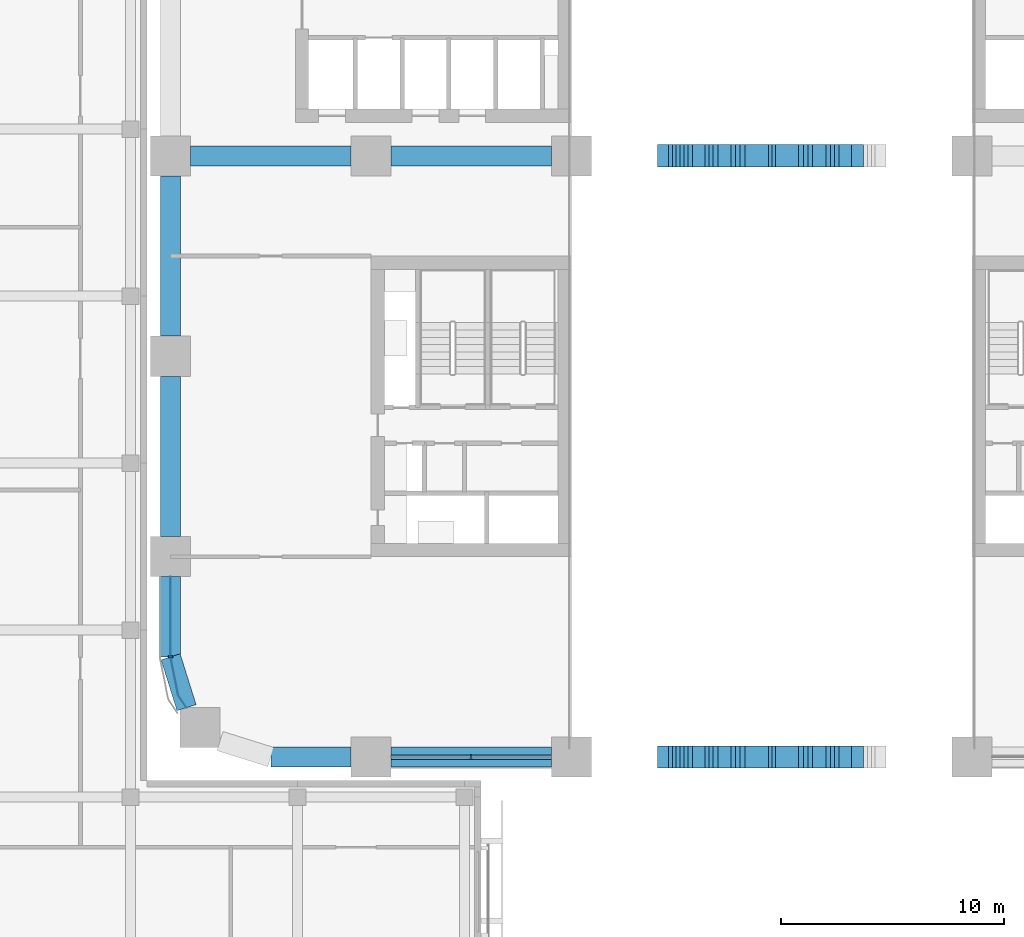
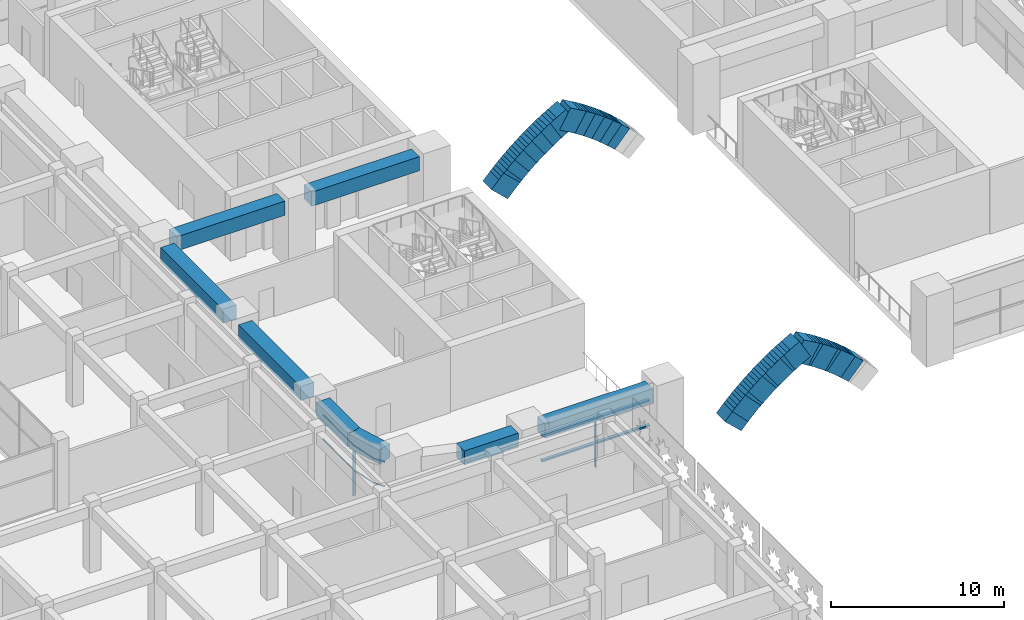
# One storey, part 5 of 40: 34 members, 8 beams, 2 elements without a shape of their own.
"""IFC4 building model written with IfcOpenShell, lengths in metres."""

from ifc_helpers import new_model, si_unit, direction, frame, origin, origin_2d, place, context, subcontext, project, spatial, polyline, rectangle, outline, extrude, material, material_profile, profile_set, type_object, element, aggregate, save


model = new_model("IFC4")

# Units and contexts
model_context = context("Model", 3, precision=1e-05, world=origin(), true_north=direction((0.0, 1.0)))
body_context = subcontext(model_context, "Body", "Model", "MODEL_VIEW")
ifc_project = project(units=[si_unit("LENGTHUNIT", "METRE"), si_unit("AREAUNIT", "SQUARE_METRE"), si_unit("VOLUMEUNIT", "CUBIC_METRE"), si_unit("PLANEANGLEUNIT", "RADIAN"), si_unit("MASSUNIT", "GRAM", prefix="KILO")], contexts=[model_context])

# Site, building, storey
site_placement = place(None, origin())
site = spatial("IfcSite", under=ifc_project, at=site_placement, CompositionType="ELEMENT")
building_placement = place(site_placement, origin())
building = spatial("IfcBuilding", under=site, at=building_placement, Name="Tessera Arch", CompositionType="ELEMENT")
storey_placement = place(building_placement, frame((0.0, 0.0, 21.0)))
storey = spatial("IfcBuildingStorey", under=building, at=storey_placement, Name="L03", CompositionType="ELEMENT", Elevation=21.0)

# Members
ifc_material_1 = material(Name="Concrete C80/95", Category="concrete")
ifc_material_profile_1 = material_profile(ifc_material_1, rectangle(XDim=1.0, YDim=1.5, at=origin_2d()), Name="RC 1000x1500")
ifc_profile_set_1 = profile_set([ifc_material_profile_1], Name="Concrete C80/95")
member_type_1 = type_object("IfcMemberType", Name="Arch rib RC 1000x1500", PredefinedType="MEMBER", material=ifc_profile_set_1)
for number, where, z_axis, x_axis, name in (
    (1, (22.409423828125, 0.0, 0.057861328125), (0.686468964072, 0.0, 0.727159103199), (0.0, 1.0, 0.0), "Arch rib A segment 9"),
    (2, (22.886474609375, 0.0, 0.57861328125), (0.716556380698, 0.0, 0.697529177369), (0.0, 1.0, 0.0), "Arch rib A segment 10"),
    (3, (23.38525390625, 0.0, 1.078857421875), (0.745283662993, 0.0, 0.666747524687), (0.0, 1.0, 0.0), "Arch rib A segment 11"),
):
    element("IfcMember", number, at=place(storey_placement, frame(where, z_axis=z_axis, x_axis=x_axis)), inside=storey, type_object=member_type_1, Name=name, PredefinedType="MEMBER", context=body_context, shape_type="SweptSolid", body=[
        extrude(rectangle(XDim=1.0, YDim=1.5, at=origin_2d()), origin(), (0.0, 0.0, 1.0), 1.2060546875),
    ])
member_1_placement = place(storey_placement, frame((23.90478515625, 0.0, 1.557861328125), z_axis=(0.77276526354, 0.0, 0.634691931149), x_axis=(0.0, 1.0, 0.0)))
element("IfcMember", 4, at=member_1_placement, inside=storey, type_object=member_type_1, Name="Arch rib A segment 12", PredefinedType="MEMBER", context=body_context, shape_type="SweptSolid", body=[
    extrude(rectangle(XDim=1.0, YDim=1.5, at=origin_2d()), origin(), (0.0, 0.0, 1.0), 1.205810546875),
])
for number, where, z_axis, x_axis, name in (
    (5, (24.44384765625, 0.0, 2.01416015625), (0.798783788492, 0.0, 0.601618200557), (0.0, 1.0, 0.0), "Arch rib A segment 13"),
    (6, (25.001708984375, 0.0, 2.447509765625), (0.823450856491, 0.0, 0.567387598511), (0.0, 1.0, 0.0), "Arch rib A segment 14"),
):
    element("IfcMember", number, at=place(storey_placement, frame(where, z_axis=z_axis, x_axis=x_axis)), inside=storey, type_object=member_type_1, Name=name, PredefinedType="MEMBER", context=body_context, shape_type="SweptSolid", body=[
        extrude(rectangle(XDim=1.0, YDim=1.5, at=origin_2d()), origin(), (0.0, 0.0, 1.0), 1.2060546875),
    ])
member_2_placement = place(storey_placement, frame((25.577392578125, 0.0, 2.85693359375), z_axis=(0.846665209367, 0.0, 0.532125946791), x_axis=(0.0, 1.0, 0.0)))
element("IfcMember", 7, at=member_2_placement, inside=storey, type_object=member_type_1, Name="Arch rib A segment 15", PredefinedType="MEMBER", context=body_context, shape_type="SweptSolid", body=[
    extrude(rectangle(XDim=1.0, YDim=1.5, at=origin_2d()), origin(), (0.0, 0.0, 1.0), 1.206298828125),
])
for number, where, z_axis, x_axis, name in (
    (8, (26.169921875, 0.0, 3.24169921875), (0.868230684499, 0.0, 0.496160738566), (0.0, 1.0, 0.0), "Arch rib A segment 16"),
    (9, (30.61474609375, 0.0, 1.078857421875), (-0.745283662993, 0.0, 0.666747524687), (0.0, -1.0, 0.0), "Arch rib A segment 27"),
):
    element("IfcMember", number, at=place(storey_placement, frame(where, z_axis=z_axis, x_axis=x_axis)), inside=storey, type_object=member_type_1, Name=name, PredefinedType="MEMBER", context=body_context, shape_type="SweptSolid", body=[
        extrude(rectangle(XDim=1.0, YDim=1.5, at=origin_2d()), origin(), (0.0, 0.0, 1.0), 1.2060546875),
    ])
member_3_placement = place(storey_placement, frame((30.09521484375, 0.0, 1.557861328125), z_axis=(-0.77276526354, 0.0, 0.634691931149), x_axis=(0.0, -1.0, 0.0)))
element("IfcMember", 10, at=member_3_placement, inside=storey, type_object=member_type_1, Name="Arch rib A segment 28", PredefinedType="MEMBER", context=body_context, shape_type="SweptSolid", body=[
    extrude(rectangle(XDim=1.0, YDim=1.5, at=origin_2d()), origin(), (0.0, 0.0, 1.0), 1.205810546875),
])
for number, where, z_axis, x_axis, name in (
    (11, (29.55615234375, 0.0, 2.01416015625), (-0.798783788492, 0.0, 0.601618200557), (0.0, -1.0, 0.0), "Arch rib A segment 29"),
    (12, (28.998291015625, 0.0, 2.447509765625), (-0.823450856491, 0.0, 0.567387598511), (0.0, -1.0, 0.0), "Arch rib A segment 30"),
):
    element("IfcMember", number, at=place(storey_placement, frame(where, z_axis=z_axis, x_axis=x_axis)), inside=storey, type_object=member_type_1, Name=name, PredefinedType="MEMBER", context=body_context, shape_type="SweptSolid", body=[
        extrude(rectangle(XDim=1.0, YDim=1.5, at=origin_2d()), origin(), (0.0, 0.0, 1.0), 1.2060546875),
    ])
member_4_placement = place(storey_placement, frame((28.422607421875, 0.0, 2.85693359375), z_axis=(-0.846665209367, 0.0, 0.532125946791), x_axis=(0.0, -1.0, 0.0)))
element("IfcMember", 13, at=member_4_placement, inside=storey, type_object=member_type_1, Name="Arch rib A segment 31", PredefinedType="MEMBER", context=body_context, shape_type="SweptSolid", body=[
    extrude(rectangle(XDim=1.0, YDim=1.5, at=origin_2d()), origin(), (0.0, 0.0, 1.0), 1.206298828125),
])
for number, where, z_axis, x_axis, name in (
    (14, (27.830078125, 0.0, 3.24169921875), (-0.868230684499, 0.0, 0.496160738566), (0.0, -1.0, 0.0), "Arch rib A segment 32"),
    (15, (22.409423828125, 27.0, 0.057861328125), (0.686468964072, 0.0, 0.727159103199), (0.0, 1.0, 0.0), "Arch rib B segment 9"),
    (16, (22.886474609375, 27.0, 0.57861328125), (0.716556380698, 0.0, 0.697529177369), (0.0, 1.0, 0.0), "Arch rib B segment 10"),
    (17, (23.38525390625, 27.0, 1.078857421875), (0.745283662993, 0.0, 0.666747524687), (0.0, 1.0, 0.0), "Arch rib B segment 11"),
):
    element("IfcMember", number, at=place(storey_placement, frame(where, z_axis=z_axis, x_axis=x_axis)), inside=storey, type_object=member_type_1, Name=name, PredefinedType="MEMBER", context=body_context, shape_type="SweptSolid", body=[
        extrude(rectangle(XDim=1.0, YDim=1.5, at=origin_2d()), origin(), (0.0, 0.0, 1.0), 1.2060546875),
    ])
member_5_placement = place(storey_placement, frame((23.90478515625, 27.0, 1.557861328125), z_axis=(0.77276526354, 0.0, 0.634691931149), x_axis=(0.0, 1.0, 0.0)))
element("IfcMember", 18, at=member_5_placement, inside=storey, type_object=member_type_1, Name="Arch rib B segment 12", PredefinedType="MEMBER", context=body_context, shape_type="SweptSolid", body=[
    extrude(rectangle(XDim=1.0, YDim=1.5, at=origin_2d()), origin(), (0.0, 0.0, 1.0), 1.205810546875),
])
for number, where, z_axis, x_axis, name in (
    (19, (24.44384765625, 27.0, 2.01416015625), (0.798783788492, 0.0, 0.601618200557), (0.0, 1.0, 0.0), "Arch rib B segment 13"),
    (20, (25.001708984375, 27.0, 2.447509765625), (0.823450856491, 0.0, 0.567387598511), (0.0, 1.0, 0.0), "Arch rib B segment 14"),
):
    element("IfcMember", number, at=place(storey_placement, frame(where, z_axis=z_axis, x_axis=x_axis)), inside=storey, type_object=member_type_1, Name=name, PredefinedType="MEMBER", context=body_context, shape_type="SweptSolid", body=[
        extrude(rectangle(XDim=1.0, YDim=1.5, at=origin_2d()), origin(), (0.0, 0.0, 1.0), 1.2060546875),
    ])
member_6_placement = place(storey_placement, frame((25.577392578125, 27.0, 2.85693359375), z_axis=(0.846665209367, 0.0, 0.532125946791), x_axis=(0.0, 1.0, 0.0)))
element("IfcMember", 21, at=member_6_placement, inside=storey, type_object=member_type_1, Name="Arch rib B segment 15", PredefinedType="MEMBER", context=body_context, shape_type="SweptSolid", body=[
    extrude(rectangle(XDim=1.0, YDim=1.5, at=origin_2d()), origin(), (0.0, 0.0, 1.0), 1.206298828125),
])
for number, where, z_axis, x_axis, name in (
    (22, (26.169921875, 27.0, 3.24169921875), (0.868230684499, 0.0, 0.496160738566), (0.0, 1.0, 0.0), "Arch rib B segment 16"),
    (23, (30.61474609375, 27.0, 1.078857421875), (-0.745283662993, 0.0, 0.666747524687), (0.0, -1.0, 0.0), "Arch rib B segment 27"),
):
    element("IfcMember", number, at=place(storey_placement, frame(where, z_axis=z_axis, x_axis=x_axis)), inside=storey, type_object=member_type_1, Name=name, PredefinedType="MEMBER", context=body_context, shape_type="SweptSolid", body=[
        extrude(rectangle(XDim=1.0, YDim=1.5, at=origin_2d()), origin(), (0.0, 0.0, 1.0), 1.2060546875),
    ])
member_7_placement = place(storey_placement, frame((30.09521484375, 27.0, 1.557861328125), z_axis=(-0.77276526354, 0.0, 0.634691931149), x_axis=(0.0, -1.0, 0.0)))
element("IfcMember", 24, at=member_7_placement, inside=storey, type_object=member_type_1, Name="Arch rib B segment 28", PredefinedType="MEMBER", context=body_context, shape_type="SweptSolid", body=[
    extrude(rectangle(XDim=1.0, YDim=1.5, at=origin_2d()), origin(), (0.0, 0.0, 1.0), 1.205810546875),
])
for number, where, z_axis, x_axis, name in (
    (25, (29.55615234375, 27.0, 2.01416015625), (-0.798783788492, 0.0, 0.601618200557), (0.0, -1.0, 0.0), "Arch rib B segment 29"),
    (26, (28.998291015625, 27.0, 2.447509765625), (-0.823450856491, 0.0, 0.567387598511), (0.0, -1.0, 0.0), "Arch rib B segment 30"),
):
    element("IfcMember", number, at=place(storey_placement, frame(where, z_axis=z_axis, x_axis=x_axis)), inside=storey, type_object=member_type_1, Name=name, PredefinedType="MEMBER", context=body_context, shape_type="SweptSolid", body=[
        extrude(rectangle(XDim=1.0, YDim=1.5, at=origin_2d()), origin(), (0.0, 0.0, 1.0), 1.2060546875),
    ])
member_8_placement = place(storey_placement, frame((28.422607421875, 27.0, 2.85693359375), z_axis=(-0.846665209367, 0.0, 0.532125946791), x_axis=(0.0, -1.0, 0.0)))
element("IfcMember", 27, at=member_8_placement, inside=storey, type_object=member_type_1, Name="Arch rib B segment 31", PredefinedType="MEMBER", context=body_context, shape_type="SweptSolid", body=[
    extrude(rectangle(XDim=1.0, YDim=1.5, at=origin_2d()), origin(), (0.0, 0.0, 1.0), 1.206298828125),
])
member_9_placement = place(storey_placement, frame((27.830078125, 27.0, 3.24169921875), z_axis=(-0.868230684499, 0.0, 0.496160738566), x_axis=(0.0, -1.0, 0.0)))
element("IfcMember", 28, at=member_9_placement, inside=storey, type_object=member_type_1, Name="Arch rib B segment 32", PredefinedType="MEMBER", context=body_context, shape_type="SweptSolid", body=[
    extrude(rectangle(XDim=1.0, YDim=1.5, at=origin_2d()), origin(), (0.0, 0.0, 1.0), 1.2060546875),
])

# Curtain wall, members
ifc_material_2 = material(Name="CW2 curtain wall")
curtain_wall_type_1 = type_object("IfcCurtainWallType", Name="CW2 curtain wall", PredefinedType="NOTDEFINED", material=ifc_material_2)
curtain_wall_1_placement = place(storey_placement, origin())
curtain_wall_1 = element("IfcCurtainWall", 29, at=curtain_wall_1_placement, inside=storey, type_object=curtain_wall_type_1, Name="CW2 curtain wall W0.0/5 L03", PredefinedType="NOTDEFINED")
ifc_material_3 = material(Name="Anodised aluminium pale metal", Category="aluminium")
ifc_material_profile_2 = material_profile(ifc_material_3, rectangle(XDim=0.199951171875, YDim=0.080078125, at=origin_2d()), Name="AL 80x200")
ifc_profile_set_2 = profile_set([ifc_material_profile_2], Name="Anodised aluminium pale metal")
member_type_2 = type_object("IfcMemberType", Name="CW2 mullion", PredefinedType="MULLION", material=ifc_profile_set_2)
member_10_placement = place(storey_placement, frame((0.0, 4.5, 0.0), z_axis=(0.0, 0.0, 1.0), x_axis=(1.0, 0.0, 0.0)))
member_10 = element("IfcMember", 30, at=member_10_placement, type_object=member_type_2, Name="CW2 mullion W0.0/5 1", PredefinedType="MULLION", context=body_context, shape_type="SweptSolid", body=[
    extrude(rectangle(XDim=0.199951171875, YDim=0.080078125, at=origin_2d()), origin(), (0.0, 0.0, 1.0), 3.449951171875),
])
ifc_material_4 = material(Name="Anodised aluminium pale metal", Category="aluminium")
ifc_material_profile_3 = material_profile(ifc_material_4, rectangle(XDim=0.199951171875, YDim=0.10009765625, at=origin_2d()), Name="AL 200x100")
ifc_profile_set_3 = profile_set([ifc_material_profile_3], Name="Anodised aluminium pale metal")
member_type_3 = type_object("IfcMemberType", Name="CW2 transom", PredefinedType="USERDEFINED", material=ifc_profile_set_3)
member_11_placement = place(storey_placement, frame((0.0, 0.0, 1.72509765625)))
member_11 = element("IfcMember", 31, at=member_11_placement, type_object=member_type_3, Name="CW2 transom W0.0/5 1", ObjectType="TRANSOM", PredefinedType="USERDEFINED", context=body_context, shape_type="SweptSolid", body=[
    extrude(outline(polyline([(0.010009765625, 4.5009765625), (0.010009765625, 8.10009765625), (-0.010009765625, 8.10009765625), (-0.010009765625, 4.4990234375), (0.3330078125, 2.77392578125), (0.70849609375, 2.21240234375), (0.72509765625, 2.2236328125), (0.351806640625, 2.78173828125), (0.010009765625, 4.5009765625)])), origin(), (0.0, 0.0, 1.0), 0.099853515625),
])
member_12_placement = place(storey_placement, frame((0.0, 0.0, 3.449951171875)))
member_12 = element("IfcMember", 32, at=member_12_placement, type_object=member_type_3, Name="CW2 transom W0.0/5 2", ObjectType="TRANSOM", PredefinedType="USERDEFINED", context=body_context, shape_type="SweptSolid", body=[
    extrude(outline(polyline([(0.010009765625, 4.5009765625), (0.010009765625, 8.10009765625), (-0.010009765625, 8.10009765625), (-0.010009765625, 4.4990234375), (0.3330078125, 2.77392578125), (0.70849609375, 2.21240234375), (0.72509765625, 2.2236328125), (0.351806640625, 2.78173828125), (0.010009765625, 4.5009765625)])), origin(), (0.0, 0.0, 1.0), 0.10009765625),
])
aggregate(curtain_wall_1, [member_10, member_11, member_12])

ifc_material_5 = material(Name="CW6 curtain wall")
curtain_wall_type_2 = type_object("IfcCurtainWallType", Name="CW6 curtain wall", PredefinedType="NOTDEFINED", material=ifc_material_5)
curtain_wall_2_placement = place(storey_placement, origin())
curtain_wall_2 = element("IfcCurtainWall", 33, at=curtain_wall_2_placement, inside=storey, type_object=curtain_wall_type_2, Name="CW6 curtain wall S0.0/1 L03", PredefinedType="NOTDEFINED")
ifc_material_6 = material(Name="Anodised aluminium pale metal", Category="aluminium")
ifc_material_profile_4 = material_profile(ifc_material_6, rectangle(XDim=0.199951171875, YDim=0.070068359375, at=origin_2d()), Name="AL 70x200")
ifc_profile_set_4 = profile_set([ifc_material_profile_4], Name="Anodised aluminium pale metal")
member_type_4 = type_object("IfcMemberType", Name="CW6 mullion", PredefinedType="MULLION", material=ifc_profile_set_4)
member_13_placement = place(storey_placement, frame((13.5, 0.0, 0.0), z_axis=(0.0, 0.0, 1.0), x_axis=(0.0, 1.0, 0.0)))
member_13 = element("IfcMember", 34, at=member_13_placement, type_object=member_type_4, Name="CW6 mullion S0.0/1 1", PredefinedType="MULLION", context=body_context, shape_type="SweptSolid", body=[
    extrude(rectangle(XDim=0.199951171875, YDim=0.070068359375, at=origin_2d()), origin(), (0.0, 0.0, 1.0), 3.429931640625),
])
ifc_material_7 = material(Name="Anodised aluminium pale metal", Category="aluminium")
ifc_material_profile_5 = material_profile(ifc_material_7, rectangle(XDim=0.199951171875, YDim=0.1201171875, at=origin_2d()), Name="AL 200x120")
ifc_profile_set_5 = profile_set([ifc_material_profile_5], Name="Anodised aluminium pale metal")
member_type_5 = type_object("IfcMemberType", Name="CW6 transom", PredefinedType="USERDEFINED", material=ifc_profile_set_5)
member_14_placement = place(storey_placement, frame((9.89990234375, 0.0, 3.489990234375), z_axis=(1.0, 0.0, 0.0), x_axis=(0.0, 1.0, 0.0)))
member_14 = element("IfcMember", 35, at=member_14_placement, type_object=member_type_5, Name="CW6 transom S0.0/1 1.1", ObjectType="TRANSOM", PredefinedType="USERDEFINED", context=body_context, shape_type="SweptSolid", body=[
    extrude(rectangle(XDim=0.199951171875, YDim=0.1201171875, at=origin_2d()), origin(), (0.0, 0.0, 1.0), 7.2001953125),
])
member_15_placement = place(storey_placement, frame((9.89990234375, 0.0, 1.715087890625), z_axis=(1.0, 0.0, 0.0), x_axis=(0.0, 1.0, 0.0)))
member_15 = element("IfcMember", 36, at=member_15_placement, type_object=member_type_5, Name="CW6 transom S0.0/1 2.1", ObjectType="TRANSOM", PredefinedType="USERDEFINED", context=body_context, shape_type="SweptSolid", body=[
    extrude(rectangle(XDim=0.199951171875, YDim=0.1201171875, at=origin_2d()), origin(), (0.0, 0.0, 1.0), 7.2001953125),
])
aggregate(curtain_wall_2, [member_13, member_14, member_15])

# Beams
ifc_material_8 = material(Name="Concrete C80/95", Category="concrete")
ifc_material_profile_6 = material_profile(ifc_material_8, rectangle(XDim=0.89990234375, YDim=1.0, at=origin_2d()), Name="RC spandrel beam 900 x 1000 Concrete C80/95")
ifc_profile_set_6 = profile_set([ifc_material_profile_6], Name="Concrete C80/95")
beam_type = type_object("IfcBeamType", Name="RC spandrel beam 900 x 1000 Concrete C80/95", PredefinedType="BEAM", material=ifc_profile_set_6)
for number, where, z_axis, x_axis, name in (
    (37, (0.0, 26.10009765625, 4.050048828125), (0.0, -1.0, 0.0), (1.0, 0.0, 0.0), "Spandrel beam L03 W0.0/3"),
    (38, (0.0, 17.10009765625, 4.050048828125), (0.0, -1.0, 0.0), (1.0, 0.0, 0.0), "Spandrel beam L03 W0.0/4"),
):
    element("IfcBeam", number, at=place(storey_placement, frame(where, z_axis=z_axis, x_axis=x_axis)), inside=storey, type_object=beam_type, Name=name, PredefinedType="BEAM", context=body_context, shape_type="SweptSolid", body=[
        extrude(rectangle(XDim=0.89990234375, YDim=1.0, at=origin_2d()), origin(), (0.0, 0.0, 1.0), 7.2001953125),
    ])
beam_1_placement = place(storey_placement, frame((0.0, 8.10009765625, 4.050048828125), z_axis=(0.0, -1.0, 0.0), x_axis=(1.0, 0.0, 0.0)))
element("IfcBeam", 39, at=beam_1_placement, inside=storey, type_object=beam_type, Name="Spandrel beam L03 W0.0/5.1", PredefinedType="BEAM", context=body_context, shape_type="SweptSolid", body=[
    extrude(rectangle(XDim=0.89990234375, YDim=1.0, at=origin_2d()), origin(), (0.0, 0.0, 1.0), 3.60009765625),
])
beam_2_placement = place(storey_placement, frame((0.0, 4.5, 4.050048828125), z_axis=(0.299675309057, -0.954041251279, 0.0), x_axis=(0.954041251279, 0.299675309057, 0.0)))
element("IfcBeam", 40, at=beam_2_placement, inside=storey, type_object=beam_type, Name="Spandrel beam L03 W0.0/5.2", PredefinedType="BEAM", context=body_context, shape_type="SweptSolid", body=[
    extrude(rectangle(XDim=0.89990234375, YDim=1.0, at=origin_2d()), origin(), (0.0, 0.0, 1.0), 2.391845703125),
])
beam_3_placement = place(storey_placement, frame((4.5, 0.0, 4.050048828125), z_axis=(1.0, 0.0, 0.0), x_axis=(0.0, 1.0, 0.0)))
element("IfcBeam", 41, at=beam_3_placement, inside=storey, type_object=beam_type, Name="Spandrel beam L03 S0.0/0.2", PredefinedType="BEAM", context=body_context, shape_type="SweptSolid", body=[
    extrude(rectangle(XDim=0.89990234375, YDim=1.0, at=origin_2d()), origin(), (0.0, 0.0, 1.0), 3.60009765625),
])
for number, where, z_axis, x_axis, name in (
    (42, (9.89990234375, 0.0, 4.050048828125), (1.0, 0.0, 0.0), (0.0, 1.0, 0.0), "Spandrel beam L03 S0.0/1"),
    (43, (0.89990234375, 27.0, 4.050048828125), (1.0, 0.0, 0.0), (0.0, 1.0, 0.0), "Interface beam L03 I1C1D-C2D"),
    (44, (9.89990234375, 27.0, 4.050048828125), (1.0, 0.0, 0.0), (0.0, 1.0, 0.0), "Interface beam L03 I1C2D-C3D"),
):
    element("IfcBeam", number, at=place(storey_placement, frame(where, z_axis=z_axis, x_axis=x_axis)), inside=storey, type_object=beam_type, Name=name, PredefinedType="BEAM", context=body_context, shape_type="SweptSolid", body=[
        extrude(rectangle(XDim=0.89990234375, YDim=1.0, at=origin_2d()), origin(), (0.0, 0.0, 1.0), 7.2001953125),
    ])

save(model, "model.ifc")
